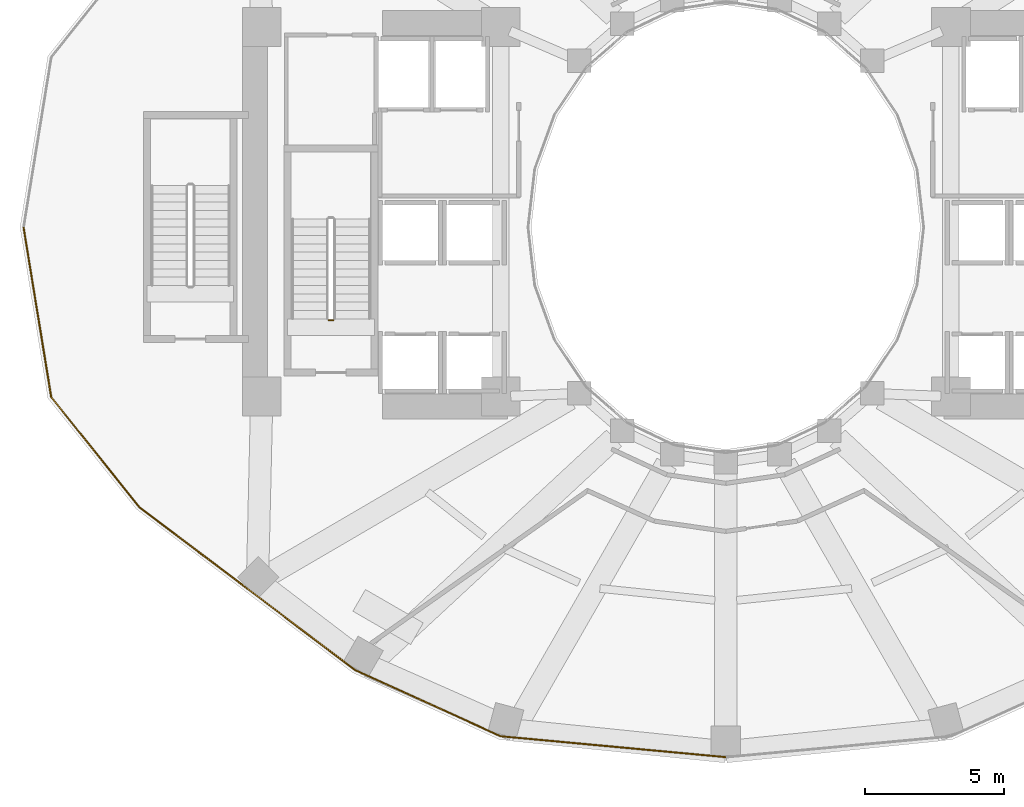
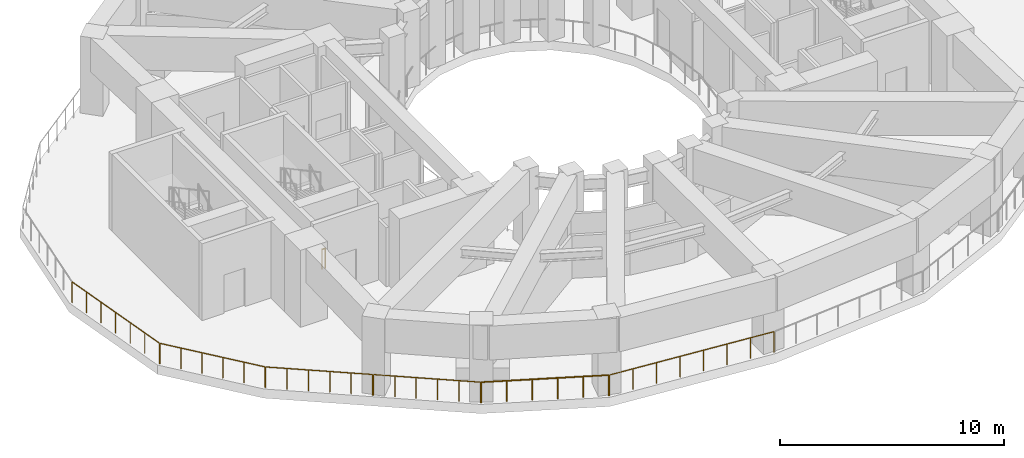
# One storey, part 5 of 10: 7 railings.
"""IFC4 building model written with IfcOpenShell, lengths in metres."""

from ifc_helpers import new_model, si_unit, direction, frame, origin, origin_2d, place, context, subcontext, project, spatial, circle, extrude, material, type_object, element, save


model = new_model("IFC4")

# Units and contexts
model_context = context("Model", 3, precision=1e-05, world=origin(), true_north=direction((0.0, 1.0)))
body_context = subcontext(model_context, "Body", "Model", "MODEL_VIEW")
ifc_project = project(units=[si_unit("LENGTHUNIT", "METRE"), si_unit("AREAUNIT", "SQUARE_METRE"), si_unit("VOLUMEUNIT", "CUBIC_METRE"), si_unit("PLANEANGLEUNIT", "RADIAN"), si_unit("MASSUNIT", "GRAM", prefix="KILO")], contexts=[model_context])

# Site, building, storey
site_placement = place(None, origin())
site = spatial("IfcSite", under=ifc_project, at=site_placement, CompositionType="ELEMENT")
building_placement = place(site_placement, origin())
building = spatial("IfcBuilding", under=site, at=building_placement, Name="Solvane Sanctuary Tower", CompositionType="ELEMENT")
storey_placement = place(building_placement, frame((0.0, 0.0, 69.0)))
storey = spatial("IfcBuildingStorey", under=building, at=storey_placement, Name="L20", CompositionType="ELEMENT", Elevation=69.0)

# Railings
ifc_material = material(Name="Architectural Stainless Steel 316", Category="steel")
railing_type = type_object("IfcRailingType", Name="Railing GR-BALC-1150", PredefinedType="BALUSTRADE", material=ifc_material)
railing_1_placement = place(storey_placement, frame((6.730224609375, 22.980224609375, 0.0)))
element("IfcRailing", 1, at=railing_1_placement, inside=storey, type_object=railing_type, Name="L20 Open Void-Portal Perimeter Balustrade 12", PredefinedType="BALUSTRADE", context=body_context, shape_type="SweptSolid", body=[
    extrude(circle(Radius=0.02392578125, at=origin_2d()), frame((0.0, 0.0, 1.1259765625), z_axis=(0.160776256298, -0.986990879092, 0.0), x_axis=(0.986990879092, 0.160776256298, 0.0)), (0.0, 0.0, 1.0), 6.154541015625),
    extrude(circle(Radius=0.02099609375, at=origin_2d()), origin(), (0.0, 0.0, 1.0), 1.101806640625),
    extrude(circle(Radius=0.02099609375, at=origin_2d()), frame((0.1650390625, -1.012451171875, 0.0)), (0.0, 0.0, 1.0), 1.101806640625),
    extrude(circle(Radius=0.02099609375, at=origin_2d()), frame((0.329833984375, -2.02490234375, 0.0)), (0.0, 0.0, 1.0), 1.101806640625),
    extrude(circle(Radius=0.02099609375, at=origin_2d()), frame((0.49462890625, -3.037109375, 0.0)), (0.0, 0.0, 1.0), 1.101806640625),
    extrude(circle(Radius=0.02099609375, at=origin_2d()), frame((0.65966796875, -4.049560546875, 0.0)), (0.0, 0.0, 1.0), 1.101806640625),
    extrude(circle(Radius=0.02099609375, at=origin_2d()), frame((0.82470703125, -5.06201171875, 0.0)), (0.0, 0.0, 1.0), 1.101806640625),
    extrude(circle(Radius=0.02099609375, at=origin_2d()), frame((0.989501953125, -6.074462890625, 0.0)), (0.0, 0.0, 1.0), 1.101806640625),
])
railing_2_placement = place(storey_placement, frame((7.7353515625, 16.87060546875, 0.0)))
element("IfcRailing", 2, at=railing_2_placement, inside=storey, type_object=railing_type, Name="L20 Open Void-Portal Perimeter Balustrade 13", PredefinedType="BALUSTRADE", context=body_context, shape_type="SweptSolid", body=[
    extrude(circle(Radius=0.02392578125, at=origin_2d()), frame((0.0, 0.0, 1.1259765625), z_axis=(0.624458517419, -0.781057974815, 0.0), x_axis=(0.781057974815, 0.624458517419, 0.0)), (0.0, 0.0, 1.0), 5.03564453125),
    extrude(circle(Radius=0.02099609375, at=origin_2d()), origin(), (0.0, 0.0, 1.0), 1.101806640625),
    extrude(circle(Radius=0.02099609375, at=origin_2d()), frame((0.62890625, -0.78662109375, 0.0)), (0.0, 0.0, 1.0), 1.101806640625),
    extrude(circle(Radius=0.02099609375, at=origin_2d()), frame((1.2578125, -1.5732421875, 0.0)), (0.0, 0.0, 1.0), 1.101806640625),
    extrude(circle(Radius=0.02099609375, at=origin_2d()), frame((1.88671875, -2.35986328125, 0.0)), (0.0, 0.0, 1.0), 1.101806640625),
    extrude(circle(Radius=0.02099609375, at=origin_2d()), frame((2.515625, -3.146484375, 0.0)), (0.0, 0.0, 1.0), 1.101806640625),
    extrude(circle(Radius=0.02099609375, at=origin_2d()), frame((3.14453125, -3.93310546875, 0.0)), (0.0, 0.0, 1.0), 1.101806640625),
])
railing_3_placement = place(storey_placement, frame((10.908447265625, 12.909912109375, 0.0)))
element("IfcRailing", 3, at=railing_3_placement, inside=storey, type_object=railing_type, Name="L20 Open Void-Portal Perimeter Balustrade 14", PredefinedType="BALUSTRADE", context=body_context, shape_type="SweptSolid", body=[
    extrude(circle(Radius=0.02392578125, at=origin_2d()), frame((0.0, 0.0, 1.1259765625), z_axis=(0.798476908887, -0.602025436318, 0.0), x_axis=(0.602025436318, 0.798476908887, 0.0)), (0.0, 0.0, 1.0), 4.81689453125),
    extrude(circle(Radius=0.02099609375, at=origin_2d()), origin(), (0.0, 0.0, 1.0), 1.101806640625),
    extrude(circle(Radius=0.02099609375, at=origin_2d()), frame((0.769287109375, -0.580078125, 0.0)), (0.0, 0.0, 1.0), 1.101806640625),
    extrude(circle(Radius=0.02099609375, at=origin_2d()), frame((1.53857421875, -1.159912109375, 0.0)), (0.0, 0.0, 1.0), 1.101806640625),
    extrude(circle(Radius=0.02099609375, at=origin_2d()), frame((2.3076171875, -1.739990234375, 0.0)), (0.0, 0.0, 1.0), 1.101806640625),
    extrude(circle(Radius=0.02099609375, at=origin_2d()), frame((3.076904296875, -2.31982421875, 0.0)), (0.0, 0.0, 1.0), 1.101806640625),
    extrude(circle(Radius=0.02099609375, at=origin_2d()), frame((3.84619140625, -2.89990234375, 0.0)), (0.0, 0.0, 1.0), 1.101806640625),
])
railing_4_placement = place(storey_placement, frame((14.78662109375, 9.986083984375, 0.0)))
element("IfcRailing", 4, at=railing_4_placement, inside=storey, type_object=railing_type, Name="L20 Open Void-Portal Perimeter Balustrade 15", PredefinedType="BALUSTRADE", context=body_context, shape_type="SweptSolid", body=[
    extrude(circle(Radius=0.02392578125, at=origin_2d()), frame((0.0, 0.0, 1.1259765625), z_axis=(0.797932886887, -0.602746304861, 0.0), x_axis=(0.602746304861, 0.797932886887, 0.0)), (0.0, 0.0, 1.0), 4.815673828125),
    extrude(circle(Radius=0.02099609375, at=origin_2d()), origin(), (0.0, 0.0, 1.0), 1.101806640625),
    extrude(circle(Radius=0.02099609375, at=origin_2d()), frame((0.7685546875, -0.58056640625, 0.0)), (0.0, 0.0, 1.0), 1.101806640625),
    extrude(circle(Radius=0.02099609375, at=origin_2d()), frame((1.537109375, -1.1611328125, 0.0)), (0.0, 0.0, 1.0), 1.101806640625),
    extrude(circle(Radius=0.02099609375, at=origin_2d()), frame((2.305419921875, -1.741455078125, 0.0)), (0.0, 0.0, 1.0), 1.101806640625),
    extrude(circle(Radius=0.02099609375, at=origin_2d()), frame((3.073974609375, -2.322021484375, 0.0)), (0.0, 0.0, 1.0), 1.101806640625),
    extrude(circle(Radius=0.02099609375, at=origin_2d()), frame((3.842529296875, -2.902587890625, 0.0)), (0.0, 0.0, 1.0), 1.101806640625),
])
railing_5_placement = place(storey_placement, frame((18.663330078125, 7.06298828125, 0.0)))
element("IfcRailing", 5, at=railing_5_placement, inside=storey, type_object=railing_type, Name="L20 Open Void-Portal Perimeter Balustrade 16", PredefinedType="BALUSTRADE", context=body_context, shape_type="SweptSolid", body=[
    extrude(circle(Radius=0.02392578125, at=origin_2d()), frame((0.0, 0.0, 1.1259765625), z_axis=(0.910121263818, -0.414341990566, 0.0), x_axis=(0.414341990566, 0.910121263818, 0.0)), (0.0, 0.0, 1.0), 5.73193359375),
    extrude(circle(Radius=0.02099609375, at=origin_2d()), origin(), (0.0, 0.0, 1.0), 1.101806640625),
    extrude(circle(Radius=0.02099609375, at=origin_2d()), frame((1.04345703125, -0.47509765625, 0.0)), (0.0, 0.0, 1.0), 1.101806640625),
    extrude(circle(Radius=0.02099609375, at=origin_2d()), frame((2.086669921875, -0.949951171875, 0.0)), (0.0, 0.0, 1.0), 1.101806640625),
    extrude(circle(Radius=0.02099609375, at=origin_2d()), frame((3.130126953125, -1.425048828125, 0.0)), (0.0, 0.0, 1.0), 1.101806640625),
    extrude(circle(Radius=0.02099609375, at=origin_2d()), frame((4.17333984375, -1.89990234375, 0.0)), (0.0, 0.0, 1.0), 1.101806640625),
    extrude(circle(Radius=0.02099609375, at=origin_2d()), frame((5.216796875, -2.375, 0.0)), (0.0, 0.0, 1.0), 1.101806640625),
])
railing_6_placement = place(storey_placement, frame((23.918212890625, 4.677734375, 0.0)))
element("IfcRailing", 6, at=railing_6_placement, inside=storey, type_object=railing_type, Name="L20 Open Void-Portal Perimeter Balustrade 17", PredefinedType="BALUSTRADE", context=body_context, shape_type="SweptSolid", body=[
    extrude(circle(Radius=0.02392578125, at=origin_2d()), frame((0.0, 0.0, 1.1259765625), z_axis=(0.995722660986, -0.092392545146, 0.0), x_axis=(0.092392545146, 0.995722660986, 0.0)), (0.0, 0.0, 1.0), 8.096435546875),
    extrude(circle(Radius=0.02099609375, at=origin_2d()), origin(), (0.0, 0.0, 1.0), 1.101806640625),
    extrude(circle(Radius=0.02099609375, at=origin_2d()), frame((1.151611328125, -0.10693359375, 0.0)), (0.0, 0.0, 1.0), 1.101806640625),
    extrude(circle(Radius=0.02099609375, at=origin_2d()), frame((2.303466796875, -0.213623046875, 0.0)), (0.0, 0.0, 1.0), 1.101806640625),
    extrude(circle(Radius=0.02099609375, at=origin_2d()), frame((3.455078125, -0.320556640625, 0.0)), (0.0, 0.0, 1.0), 1.101806640625),
    extrude(circle(Radius=0.02099609375, at=origin_2d()), frame((4.606689453125, -0.427490234375, 0.0)), (0.0, 0.0, 1.0), 1.101806640625),
    extrude(circle(Radius=0.02099609375, at=origin_2d()), frame((5.75830078125, -0.534423828125, 0.0)), (0.0, 0.0, 1.0), 1.101806640625),
    extrude(circle(Radius=0.02099609375, at=origin_2d()), frame((6.91015625, -0.64111328125, 0.0)), (0.0, 0.0, 1.0), 1.101806640625),
    extrude(circle(Radius=0.02099609375, at=origin_2d()), frame((8.061767578125, -0.748046875, 0.0)), (0.0, 0.0, 1.0), 1.101806640625),
])
railing_7_placement = place(storey_placement, frame((17.8701171875, 19.64990234375, 0.0)))
element("IfcRailing", 7, at=railing_7_placement, inside=storey, type_object=railing_type, Name="L20 ST-1 stair guard 4", PredefinedType="BALUSTRADE", context=body_context, shape_type="SweptSolid", body=[
    extrude(circle(Radius=0.02392578125, at=origin_2d()), frame((0.0, 0.0, 1.076171875), z_axis=(-1.0, 0.0, 0.0), x_axis=(0.0, -1.0, 0.0)), (0.0, 0.0, 1.0), 0.16015625),
    extrude(circle(Radius=0.02099609375, at=origin_2d()), origin(), (0.0, 0.0, 1.0), 1.052001953125),
    extrude(circle(Radius=0.02099609375, at=origin_2d()), frame((-0.16015625, 0.0, 0.0)), (0.0, 0.0, 1.0), 1.052001953125),
])

save(model, "model.ifc")
